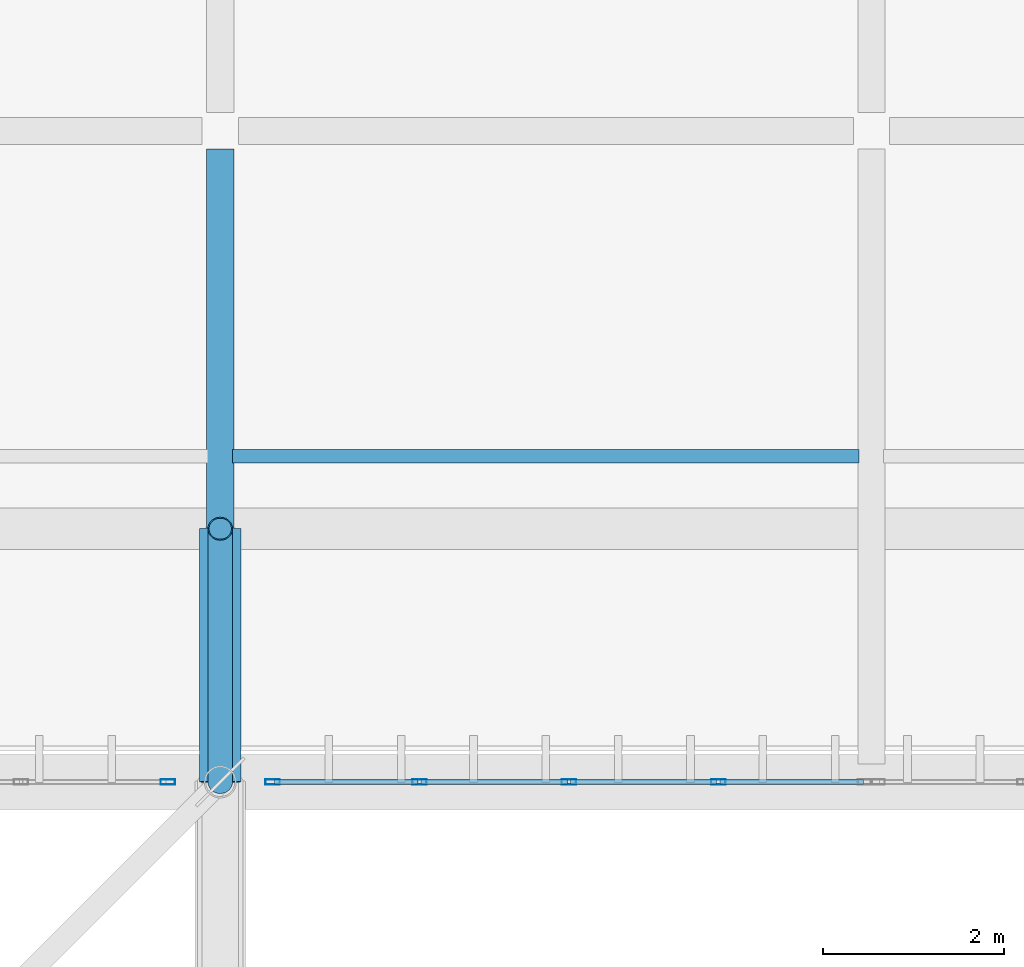
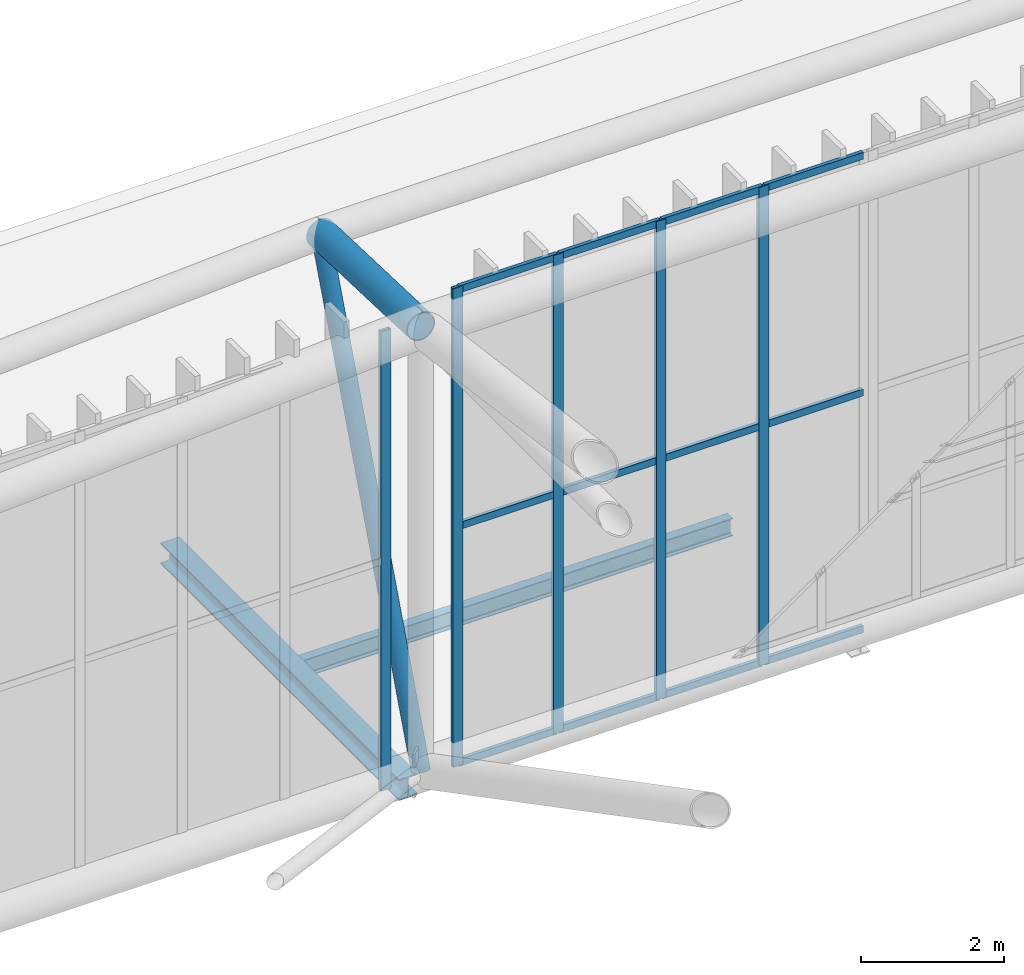
# One storey, part 264 of 397: 18 members, 3 beams, 2 elements without a shape of their own.
"""IFC4 building model written with IfcOpenShell, lengths in metres."""

from ifc_helpers import new_model, si_unit, direction, frame, origin, origin_2d, place, context, subcontext, project, spatial, hollow_rectangle, hollow_circle, i_section, extrude, material, material_profile, profile_set, type_object, element, aggregate, save


model = new_model("IFC4")

# Units and contexts
model_context = context("Model", 3, precision=1e-05, world=origin(), true_north=direction((0.0, 1.0)))
body_context = subcontext(model_context, "Body", "Model", "MODEL_VIEW")
ifc_project = project(units=[si_unit("LENGTHUNIT", "METRE"), si_unit("AREAUNIT", "SQUARE_METRE"), si_unit("VOLUMEUNIT", "CUBIC_METRE"), si_unit("PLANEANGLEUNIT", "RADIAN"), si_unit("MASSUNIT", "GRAM", prefix="KILO")], contexts=[model_context])

# Site, building, storey
site_placement = place(None, origin())
site = spatial("IfcSite", under=ifc_project, at=site_placement, CompositionType="ELEMENT")
building_placement = place(site_placement, origin())
building = spatial("IfcBuilding", under=site, at=building_placement, Name="Qandorah Velis Arena", CompositionType="ELEMENT")
storey_placement = place(building_placement, frame((0.0, 0.0, 27.5)))
storey = spatial("IfcBuildingStorey", under=building, at=storey_placement, Name="RF", CompositionType="ELEMENT", Elevation=27.5)

# Curtain wall, member
ifc_material_1 = material(Name="Solar-control low-E double glazing", Category="glass")
curtain_wall_type = type_object("IfcCurtainWallType", Name="ARC-CW-SYS04", PredefinedType="USERDEFINED", material=ifc_material_1)
curtain_wall_1_placement = place(storey_placement, origin())
curtain_wall_1 = element("IfcCurtainWall", 1, at=curtain_wall_1_placement, inside=storey, type_object=curtain_wall_type, Name="Unitised curtain wall CROWN-4-03S2", ObjectType="UNITISED CURTAIN WALL", PredefinedType="USERDEFINED")
ifc_material_2 = material(Name="Champagne-bronze anodized aluminium 6063-T6", Category="aluminium")
ifc_material_profile_1 = material_profile(ifc_material_2, hollow_rectangle(XDim=0.06005859375, YDim=0.159912109375, WallThickness=0.00341796875, at=origin_2d()), Name="ALU MULLION 60x160")
ifc_profile_set_1 = profile_set([ifc_material_profile_1], Name="Champagne-bronze anodized aluminium 6063-T6")
member_type_1 = type_object("IfcMemberType", Name="ARC-CWM-160", PredefinedType="MULLION", material=ifc_profile_set_1)
member_1_placement = place(storey_placement, frame((57.02001953125, 115.199951171875, -0.014892578125), z_axis=(0.0, 0.0, 1.0), x_axis=(0.0, 1.0, 0.0)))
member_1 = element("IfcMember", 2, at=member_1_placement, type_object=member_type_1, Name="CW04 mullion 5", PredefinedType="MULLION", context=body_context, shape_type="SweptSolid", body=[
    extrude(hollow_rectangle(XDim=0.06005859375, YDim=0.159912109375, WallThickness=0.00341796875, at=origin_2d()), origin(), (0.0, 0.0, 1.0), 7.826416015625),
])
aggregate(curtain_wall_1, [member_1])

# Curtain wall, members
curtain_wall_2_placement = place(storey_placement, origin())
curtain_wall_2 = element("IfcCurtainWall", 3, at=curtain_wall_2_placement, inside=storey, type_object=curtain_wall_type, Name="Unitised curtain wall CROWN-4-04S1", ObjectType="UNITISED CURTAIN WALL", PredefinedType="USERDEFINED")
member_2_placement = place(storey_placement, frame((58.179931640625, 115.199951171875, -0.014892578125), z_axis=(0.0, 0.0, 1.0), x_axis=(0.0, 1.0, 0.0)))
member_2 = element("IfcMember", 4, at=member_2_placement, type_object=member_type_1, Name="CW04 mullion 1", PredefinedType="MULLION", context=body_context, shape_type="SweptSolid", body=[
    extrude(hollow_rectangle(XDim=0.06005859375, YDim=0.159912109375, WallThickness=0.00341796875, at=origin_2d()), origin(), (0.0, 0.0, 1.0), 8.150634765625),
])
member_3_placement = place(storey_placement, frame((59.802490234375, 115.199951171875, -0.014892578125), z_axis=(0.0, 0.0, 1.0), x_axis=(0.0, 1.0, 0.0)))
member_3 = element("IfcMember", 5, at=member_3_placement, type_object=member_type_1, Name="CW04 mullion 2", PredefinedType="MULLION", context=body_context, shape_type="SweptSolid", body=[
    extrude(hollow_rectangle(XDim=0.06005859375, YDim=0.159912109375, WallThickness=0.00341796875, at=origin_2d()), origin(), (0.0, 0.0, 1.0), 8.150634765625),
])
member_4_placement = place(storey_placement, frame((61.455078125, 115.199951171875, -0.014892578125), z_axis=(0.0, 0.0, 1.0), x_axis=(0.0, 1.0, 0.0)))
member_4 = element("IfcMember", 6, at=member_4_placement, type_object=member_type_1, Name="CW04 mullion 3", PredefinedType="MULLION", context=body_context, shape_type="SweptSolid", body=[
    extrude(hollow_rectangle(XDim=0.06005859375, YDim=0.159912109375, WallThickness=0.00341796875, at=origin_2d()), origin(), (0.0, 0.0, 1.0), 8.150634765625),
])
member_5_placement = place(storey_placement, frame((63.107421875, 115.199951171875, -0.014892578125), z_axis=(0.0, 0.0, 1.0), x_axis=(0.0, 1.0, 0.0)))
member_5 = element("IfcMember", 7, at=member_5_placement, type_object=member_type_1, Name="CW04 mullion 4", PredefinedType="MULLION", context=body_context, shape_type="SweptSolid", body=[
    extrude(hollow_rectangle(XDim=0.06005859375, YDim=0.159912109375, WallThickness=0.00341796875, at=origin_2d()), origin(), (0.0, 0.0, 1.0), 8.150634765625),
])
ifc_material_profile_2 = material_profile(ifc_material_2, hollow_rectangle(XDim=0.06005859375, YDim=0.1201171875, WallThickness=0.0029296875, at=origin_2d()), Name="ALU TRANSOM 60x120")
ifc_profile_set_2 = profile_set([ifc_material_profile_2], Name="Champagne-bronze anodized aluminium 6063-T6")
member_type_2 = type_object("IfcMemberType", Name="ARC-CWT-120", PredefinedType="USERDEFINED", material=ifc_profile_set_2)
member_6_placement = place(storey_placement, frame((58.197998046875, 115.199951171875, 0.030029296875), z_axis=(1.0, 0.0, 0.0), x_axis=(0.0, 1.0, 0.0)))
member_6 = element("IfcMember", 8, at=member_6_placement, type_object=member_type_2, Name="CW04 transom 1.1", ObjectType="TRANSOM", PredefinedType="USERDEFINED", context=body_context, shape_type="SweptSolid", body=[
    extrude(hollow_rectangle(XDim=0.06005859375, YDim=0.1201171875, WallThickness=0.0029296875, at=origin_2d()), origin(), (0.0, 0.0, 1.0), 1.58642578125),
])
member_7_placement = place(storey_placement, frame((58.197998046875, 115.199951171875, 4.060302734375), z_axis=(1.0, 0.0, 0.0), x_axis=(0.0, 1.0, 0.0)))
member_7 = element("IfcMember", 9, at=member_7_placement, type_object=member_type_2, Name="CW04 transom 1.2", ObjectType="TRANSOM", PredefinedType="USERDEFINED", context=body_context, shape_type="SweptSolid", body=[
    extrude(hollow_rectangle(XDim=0.06005859375, YDim=0.1201171875, WallThickness=0.0029296875, at=origin_2d()), origin(), (0.0, 0.0, 1.0), 1.58642578125),
])
member_8_placement = place(storey_placement, frame((58.197998046875, 115.199951171875, 8.0908203125), z_axis=(1.0, 0.0, 0.0), x_axis=(0.0, 1.0, 0.0)))
member_8 = element("IfcMember", 10, at=member_8_placement, type_object=member_type_2, Name="CW04 transom 1.3", ObjectType="TRANSOM", PredefinedType="USERDEFINED", context=body_context, shape_type="SweptSolid", body=[
    extrude(hollow_rectangle(XDim=0.06005859375, YDim=0.1201171875, WallThickness=0.0029296875, at=origin_2d()), origin(), (0.0, 0.0, 1.0), 1.58642578125),
])
member_9_placement = place(storey_placement, frame((59.820556640625, 115.199951171875, 0.030029296875), z_axis=(1.0, 0.0, 0.0), x_axis=(0.0, 1.0, 0.0)))
member_9 = element("IfcMember", 11, at=member_9_placement, type_object=member_type_2, Name="CW04 transom 2.1", ObjectType="TRANSOM", PredefinedType="USERDEFINED", context=body_context, shape_type="SweptSolid", body=[
    extrude(hollow_rectangle(XDim=0.06005859375, YDim=0.1201171875, WallThickness=0.0029296875, at=origin_2d()), origin(), (0.0, 0.0, 1.0), 1.616455078125),
])
member_10_placement = place(storey_placement, frame((59.820556640625, 115.199951171875, 4.060302734375), z_axis=(1.0, 0.0, 0.0), x_axis=(0.0, 1.0, 0.0)))
member_10 = element("IfcMember", 12, at=member_10_placement, type_object=member_type_2, Name="CW04 transom 2.2", ObjectType="TRANSOM", PredefinedType="USERDEFINED", context=body_context, shape_type="SweptSolid", body=[
    extrude(hollow_rectangle(XDim=0.06005859375, YDim=0.1201171875, WallThickness=0.0029296875, at=origin_2d()), origin(), (0.0, 0.0, 1.0), 1.616455078125),
])
member_11_placement = place(storey_placement, frame((59.820556640625, 115.199951171875, 8.0908203125), z_axis=(1.0, 0.0, 0.0), x_axis=(0.0, 1.0, 0.0)))
member_11 = element("IfcMember", 13, at=member_11_placement, type_object=member_type_2, Name="CW04 transom 2.3", ObjectType="TRANSOM", PredefinedType="USERDEFINED", context=body_context, shape_type="SweptSolid", body=[
    extrude(hollow_rectangle(XDim=0.06005859375, YDim=0.1201171875, WallThickness=0.0029296875, at=origin_2d()), origin(), (0.0, 0.0, 1.0), 1.616455078125),
])
member_12_placement = place(storey_placement, frame((61.472900390625, 115.199951171875, 0.030029296875), z_axis=(1.0, 0.0, 0.0), x_axis=(0.0, 1.0, 0.0)))
member_12 = element("IfcMember", 14, at=member_12_placement, type_object=member_type_2, Name="CW04 transom 3.1", ObjectType="TRANSOM", PredefinedType="USERDEFINED", context=body_context, shape_type="SweptSolid", body=[
    extrude(hollow_rectangle(XDim=0.06005859375, YDim=0.1201171875, WallThickness=0.0029296875, at=origin_2d()), origin(), (0.0, 0.0, 1.0), 1.61669921875),
])
member_13_placement = place(storey_placement, frame((61.472900390625, 115.199951171875, 4.060302734375), z_axis=(1.0, 0.0, 0.0), x_axis=(0.0, 1.0, 0.0)))
member_13 = element("IfcMember", 15, at=member_13_placement, type_object=member_type_2, Name="CW04 transom 3.2", ObjectType="TRANSOM", PredefinedType="USERDEFINED", context=body_context, shape_type="SweptSolid", body=[
    extrude(hollow_rectangle(XDim=0.06005859375, YDim=0.1201171875, WallThickness=0.0029296875, at=origin_2d()), origin(), (0.0, 0.0, 1.0), 1.61669921875),
])
member_14_placement = place(storey_placement, frame((61.472900390625, 115.199951171875, 8.0908203125), z_axis=(1.0, 0.0, 0.0), x_axis=(0.0, 1.0, 0.0)))
member_14 = element("IfcMember", 16, at=member_14_placement, type_object=member_type_2, Name="CW04 transom 3.3", ObjectType="TRANSOM", PredefinedType="USERDEFINED", context=body_context, shape_type="SweptSolid", body=[
    extrude(hollow_rectangle(XDim=0.06005859375, YDim=0.1201171875, WallThickness=0.0029296875, at=origin_2d()), origin(), (0.0, 0.0, 1.0), 1.61669921875),
])
member_15_placement = place(storey_placement, frame((63.12548828125, 115.199951171875, 0.030029296875), z_axis=(1.0, 0.0, 0.0), x_axis=(0.0, 1.0, 0.0)))
member_15 = element("IfcMember", 17, at=member_15_placement, type_object=member_type_2, Name="CW04 transom 4.1", ObjectType="TRANSOM", PredefinedType="USERDEFINED", context=body_context, shape_type="SweptSolid", body=[
    extrude(hollow_rectangle(XDim=0.06005859375, YDim=0.1201171875, WallThickness=0.0029296875, at=origin_2d()), origin(), (0.0, 0.0, 1.0), 1.58642578125),
])
member_16_placement = place(storey_placement, frame((63.12548828125, 115.199951171875, 4.060302734375), z_axis=(1.0, 0.0, 0.0), x_axis=(0.0, 1.0, 0.0)))
member_16 = element("IfcMember", 18, at=member_16_placement, type_object=member_type_2, Name="CW04 transom 4.2", ObjectType="TRANSOM", PredefinedType="USERDEFINED", context=body_context, shape_type="SweptSolid", body=[
    extrude(hollow_rectangle(XDim=0.06005859375, YDim=0.1201171875, WallThickness=0.0029296875, at=origin_2d()), origin(), (0.0, 0.0, 1.0), 1.58642578125),
])
member_17_placement = place(storey_placement, frame((63.12548828125, 115.199951171875, 8.0908203125), z_axis=(1.0, 0.0, 0.0), x_axis=(0.0, 1.0, 0.0)))
member_17 = element("IfcMember", 19, at=member_17_placement, type_object=member_type_2, Name="CW04 transom 4.3", ObjectType="TRANSOM", PredefinedType="USERDEFINED", context=body_context, shape_type="SweptSolid", body=[
    extrude(hollow_rectangle(XDim=0.06005859375, YDim=0.1201171875, WallThickness=0.0029296875, at=origin_2d()), origin(), (0.0, 0.0, 1.0), 1.58642578125),
])
aggregate(curtain_wall_2, [member_2, member_3, member_4, member_5, member_6, member_7, member_8, member_9, member_10, member_11, member_12, member_13, member_14, member_15, member_16, member_17])

# Beams
ifc_material_3 = material(Name="Steel S355", Category="steel")
ifc_material_profile_3 = material_profile(ifc_material_3, i_section(OverallWidth=0.300048828125, OverallDepth=0.360107421875, WebThickness=0.012451171875, FlangeThickness=0.0224609375, FilletRadius=0.027099609375, at=origin_2d()), Name="HEB 360")
ifc_profile_set_3 = profile_set([ifc_material_profile_3], Name="Steel S355")
beam_type_1 = type_object("IfcBeamType", Name="STR-BM-HEB360", PredefinedType="BEAM", material=ifc_profile_set_3)
beam_1_placement = place(storey_placement, frame((57.60009765625, 115.550048828125, -0.39990234375), z_axis=(0.0, 1.0, 0.0), x_axis=(-1.0, 0.0, 0.0)))
element("IfcBeam", 20, at=beam_1_placement, inside=storey, type_object=beam_type_1, Name="Primary floor girder RF Y-105", PredefinedType="BEAM", context=body_context, shape_type="SweptSolid", body=[
    extrude(i_section(OverallWidth=0.300048828125, OverallDepth=0.360107421875, WebThickness=0.012451171875, FlangeThickness=0.0224609375, FilletRadius=0.027099609375, at=origin_2d()), origin(), (0.0, 0.0, 1.0), 6.64990234375),
])
ifc_material_profile_4 = material_profile(ifc_material_3, i_section(OverallWidth=0.14990234375, OverallDepth=0.300048828125, WebThickness=0.007080078125, FlangeThickness=0.0107421875, FilletRadius=0.014892578125, at=origin_2d()), Name="IPE 300")
ifc_profile_set_4 = profile_set([ifc_material_profile_4], Name="Steel S355")
beam_type_2 = type_object("IfcBeamType", Name="STR-JST-IPE300", PredefinedType="JOIST", material=ifc_profile_set_4)
beam_2_placement = place(storey_placement, frame((57.735107421875, 118.800048828125, -0.3701171875), z_axis=(1.0, 0.0, 0.0), x_axis=(0.0, 1.0, 0.0)))
element("IfcBeam", 21, at=beam_2_placement, inside=storey, type_object=beam_type_2, Name="Secondary floor joist RF-031", PredefinedType="JOIST", context=body_context, shape_type="SweptSolid", body=[
    extrude(i_section(OverallWidth=0.14990234375, OverallDepth=0.300048828125, WebThickness=0.007080078125, FlangeThickness=0.0107421875, FilletRadius=0.014892578125, at=origin_2d()), origin(), (0.0, 0.0, 1.0), 6.929931640625),
])
ifc_material_profile_5 = material_profile(ifc_material_3, hollow_circle(Radius=0.228515625, WallThickness=0.01611328125, at=origin_2d()), Name="CHS 457x16")
ifc_profile_set_5 = profile_set([ifc_material_profile_5], Name="Steel S355")
beam_type_3 = type_object("IfcBeamType", Name="STR-SFC-CHS457X16", PredefinedType="USERDEFINED", material=ifc_profile_set_5)
beam_3_placement = place(storey_placement, frame((57.60009765625, 115.199951171875, 7.65576171875), z_axis=(0.0, 0.999364739976, -0.035638693753), x_axis=(-1.0, 0.0, 0.0)))
element("IfcBeam", 22, at=beam_3_placement, inside=storey, type_object=beam_type_3, Name="Space frame eave outrigger N-3", ObjectType="ROOF TRUSS", PredefinedType="USERDEFINED", context=body_context, shape_type="SweptSolid", body=[
    extrude(hollow_circle(Radius=0.228515625, WallThickness=0.01611328125, at=origin_2d()), origin(), (0.0, 0.0, 1.0), 2.8017578125),
])

# Member
ifc_material_profile_6 = material_profile(ifc_material_3, hollow_circle(Radius=0.136474609375, WallThickness=0.012451171875, at=origin_2d()), Name="CHS 273x12.5")
ifc_profile_set_6 = profile_set([ifc_material_profile_6], Name="Steel S355")
member_type_3 = type_object("IfcMemberType", Name="STR-SFD-CHS273X12", PredefinedType="STRUT", material=ifc_profile_set_6)
member_18_placement = place(storey_placement, frame((57.60009765625, 115.199951171875, 0.10009765625), z_axis=(0.0, 0.351576919623, 0.936158998028), x_axis=(-1.0, 0.0, 0.0)))
element("IfcMember", 23, at=member_18_placement, inside=storey, type_object=member_type_3, Name="Space frame eave raking strut N-3", PredefinedType="STRUT", context=body_context, shape_type="SweptSolid", body=[
    extrude(hollow_circle(Radius=0.136474609375, WallThickness=0.012451171875, at=origin_2d()), origin(), (0.0, 0.0, 1.0), 7.96435546875),
])

save(model, "model.ifc")
